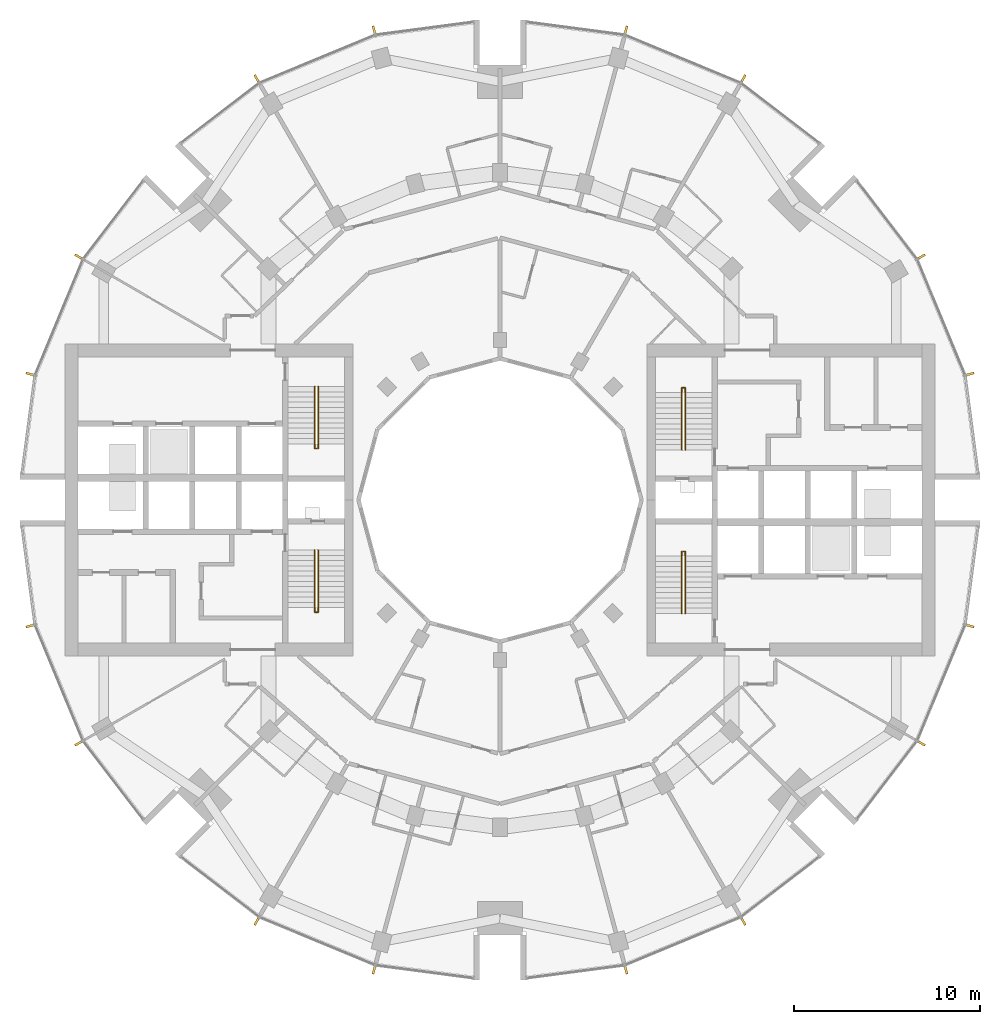
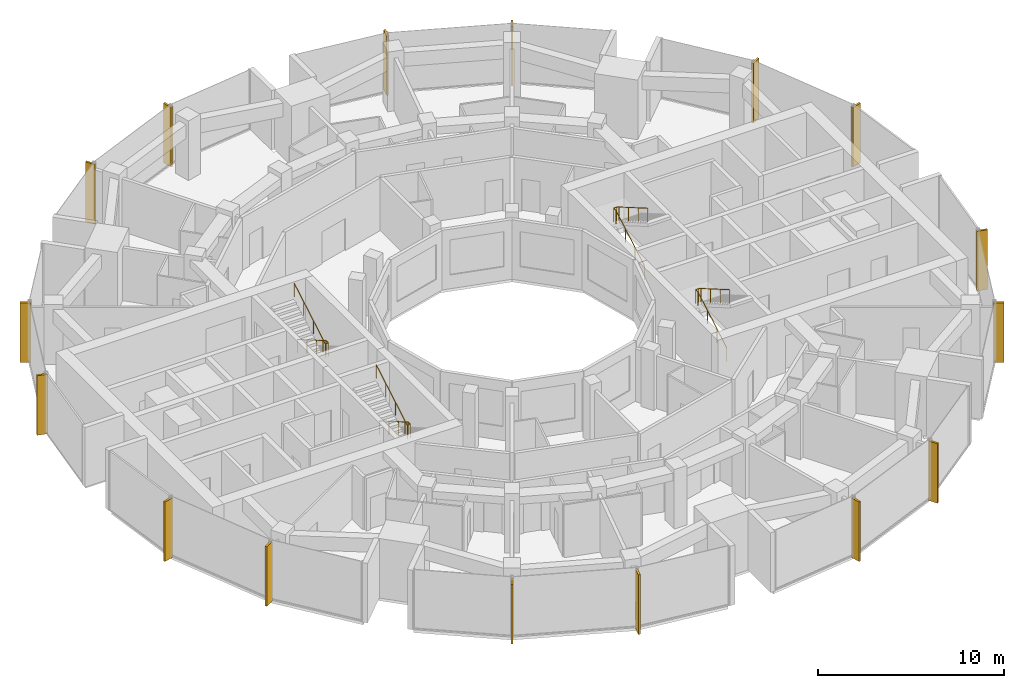
# One storey, part 14 of 15: 16 shading devices, 4 railings.
"""IFC4 building model written with IfcOpenShell, lengths in metres."""

from ifc_helpers import new_model, si_unit, direction, frame, origin, origin_2d, place, context, subcontext, project, spatial, rectangle, circle, extrude, material, material_profile, profile_set, type_object, element, save


model = new_model("IFC4")

# Units and contexts
model_context = context("Model", 3, precision=1e-05, world=origin(), true_north=direction((0.0, 1.0)))
body_context = subcontext(model_context, "Body", "Model", "MODEL_VIEW")
ifc_project = project(units=[si_unit("LENGTHUNIT", "METRE"), si_unit("AREAUNIT", "SQUARE_METRE"), si_unit("VOLUMEUNIT", "CUBIC_METRE"), si_unit("PLANEANGLEUNIT", "RADIAN"), si_unit("MASSUNIT", "GRAM", prefix="KILO")], contexts=[model_context])

# Site, building, storey
site_placement = place(None, origin())
site = spatial("IfcSite", under=ifc_project, at=site_placement, CompositionType="ELEMENT")
building_placement = place(site_placement, origin())
building = spatial("IfcBuilding", under=site, at=building_placement, Name="Torre Brocal", CompositionType="ELEMENT")
storey_placement = place(building_placement, frame((0.0, 0.0, 122.39990234375)))
storey = spatial("IfcBuildingStorey", under=building, at=storey_placement, Name="L28", CompositionType="ELEMENT", Elevation=122.39990234375)

# Shading devices
ifc_material_1 = material(Name="Aluminium, black anodised", Category="aluminium")
ifc_material_profile = material_profile(ifc_material_1, rectangle(XDim=0.1201171875, YDim=0.60009765625, at=origin_2d()), Name="FIN 120X600 3900 HIGH")
ifc_profile_set = profile_set([ifc_material_profile], Name="Aluminium, black anodised")
shading_device_type = type_object("IfcShadingDeviceType", Name="FIN 120X600 3900 HIGH", PredefinedType="USERDEFINED", material=ifc_profile_set)
for number, where, z_axis, x_axis, name in (
    (1, (105.208984375, 81.754638671875, -0.14990234375), (0.0, 0.0, 1.0), (-0.258819045103, 0.965925826289, 0.0), "FIN"),
    (2, (102.601806640625, 88.049072265625, -0.14990234375), (0.0, 0.0, 1.0), (-0.5, 0.866025403784, 0.0), "FIN"),
    (3, (93.049072265625, 97.601806640625, -0.14990234375), (0.0, 0.0, 1.0), (-0.866025403784, 0.5, 0.0), "FIN"),
    (4, (86.754638671875, 100.208984375, -0.14990234375), (0.0, 0.0, 1.0), (-0.965925826289, 0.258819045103, 0.0), "FIN"),
    (5, (73.245361328125, 100.208984375, -0.14990234375), (0.0, 0.0, 1.0), (-0.965925826289, -0.258819045103, 0.0), "FIN"),
    (6, (66.950927734375, 97.601806640625, -0.14990234375), (0.0, 0.0, 1.0), (-0.866025403784, -0.5, 0.0), "FIN"),
    (7, (57.398193359375, 88.049072265625, -0.14990234375), (0.0, 0.0, 1.0), (-0.5, -0.866025403784, 0.0), "FIN"),
    (8, (54.791015625, 81.754638671875, -0.14990234375), (0.0, 0.0, 1.0), (-0.258819045103, -0.965925826289, 0.0), "FIN"),
    (9, (54.791015625, 68.245361328125, -0.14990234375), (0.0, 0.0, 1.0), (0.258819045103, -0.965925826289, 0.0), "FIN"),
    (10, (57.398193359375, 61.950927734375, -0.14990234375), (0.0, 0.0, 1.0), (0.5, -0.866025403784, 0.0), "FIN"),
    (11, (66.950927734375, 52.398193359375, -0.14990234375), (0.0, 0.0, 1.0), (0.866025403784, -0.5, 0.0), "FIN"),
    (12, (73.245361328125, 49.791015625, -0.14990234375), (0.0, 0.0, 1.0), (0.965925826289, -0.258819045103, 0.0), "FIN"),
    (13, (86.754638671875, 49.791015625, -0.14990234375), (0.0, 0.0, 1.0), (0.965925826289, 0.258819045103, 0.0), "FIN"),
    (14, (93.049072265625, 52.398193359375, -0.14990234375), (0.0, 0.0, 1.0), (0.866025403784, 0.5, 0.0), "FIN"),
    (15, (102.601806640625, 61.950927734375, -0.14990234375), (0.0, 0.0, 1.0), (0.5, 0.866025403784, 0.0), "FIN"),
    (16, (105.208984375, 68.245361328125, -0.14990234375), (0.0, 0.0, 1.0), (0.258819045103, 0.965925826289, 0.0), "FIN"),
):
    element("IfcShadingDevice", number, at=place(storey_placement, frame(where, z_axis=z_axis, x_axis=x_axis)), inside=storey, type_object=shading_device_type, Name=name, ObjectType="FIN", PredefinedType="USERDEFINED", context=body_context, shape_type="SweptSolid", body=[
        extrude(rectangle(XDim=0.1201171875, YDim=0.60009765625, at=origin_2d()), origin(), (0.0, 0.0, 1.0), 3.89990234375),
    ])

# Railings
ifc_material_2 = material(Name="Stainless steel AISI 316", Category="steel")
railing_type = type_object("IfcRailingType", Name="STAIR HANDRAIL", PredefinedType="HANDRAIL", material=ifc_material_2)
railing_1_placement = place(storey_placement, frame((89.780029296875, 77.699951171875, 0.16259765625)))
element("IfcRailing", 17, at=railing_1_placement, inside=storey, type_object=railing_type, Name="HANDRAIL ST1", PredefinedType="HANDRAIL", context=body_context, shape_type="SweptSolid", body=[
    extrude(circle(Radius=0.02392578125, at=origin_2d()), frame((0.0, 0.0, 0.8759765625), z_axis=(0.0, 0.864890721111, 0.501960198159), x_axis=(-1.0, 0.0, 0.0)), (0.0, 0.0, 1.0), 3.561279296875),
    extrude(circle(Radius=0.02392578125, at=origin_2d()), frame((0.0, 3.080078125, 2.66357421875), z_axis=(0.0, 1.0, 0.0), x_axis=(-1.0, 0.0, 0.0)), (0.0, 0.0, 1.0), 0.25),
    extrude(circle(Radius=0.02392578125, at=origin_2d()), frame((0.0, 3.330078125, 2.66357421875), z_axis=(1.0, 0.0, 0.0), x_axis=(0.0, 1.0, 0.0)), (0.0, 0.0, 1.0), 0.18994140625),
    extrude(circle(Radius=0.02392578125, at=origin_2d()), frame((0.18994140625, 3.330078125, 2.66357421875), z_axis=(0.0, -0.838668089672, 0.544642851203), x_axis=(1.0, 0.0, 0.0)), (0.0, 0.0, 1.0), 0.298095703125),
    extrude(circle(Radius=0.02392578125, at=origin_2d()), frame((0.18994140625, 3.080078125, 2.82568359375), z_axis=(0.0, -0.864890721111, 0.501960198159), x_axis=(1.0, 0.0, 0.0)), (0.0, 0.0, 1.0), 3.561279296875),
    extrude(circle(Radius=0.02099609375, at=origin_2d()), origin(), (0.0, 0.0, 1.0), 0.851806640625),
    extrude(circle(Radius=0.02099609375, at=origin_2d()), frame((0.0, 1.026611328125, 0.595947265625)), (0.0, 0.0, 1.0), 0.851806640625),
    extrude(circle(Radius=0.02099609375, at=origin_2d()), frame((0.0, 2.053466796875, 1.191650390625)), (0.0, 0.0, 1.0), 0.851806640625),
    extrude(circle(Radius=0.02099609375, at=origin_2d()), frame((0.0, 3.080078125, 1.78759765625)), (0.0, 0.0, 1.0), 0.851806640625),
    extrude(circle(Radius=0.02099609375, at=origin_2d()), frame((0.0, 3.330078125, 1.78759765625)), (0.0, 0.0, 1.0), 0.851806640625),
    extrude(circle(Radius=0.02099609375, at=origin_2d()), frame((0.18994140625, 3.330078125, 1.78759765625)), (0.0, 0.0, 1.0), 0.851806640625),
    extrude(circle(Radius=0.02099609375, at=origin_2d()), frame((0.18994140625, 3.080078125, 1.949951171875)), (0.0, 0.0, 1.0), 0.851806640625),
    extrude(circle(Radius=0.02099609375, at=origin_2d()), frame((0.18994140625, 2.053466796875, 2.5458984375)), (0.0, 0.0, 1.0), 0.851806640625),
    extrude(circle(Radius=0.02099609375, at=origin_2d()), frame((0.18994140625, 1.026611328125, 3.1416015625)), (0.0, 0.0, 1.0), 0.851806640625),
    extrude(circle(Radius=0.02099609375, at=origin_2d()), frame((0.18994140625, 0.0, 3.737548828125)), (0.0, 0.0, 1.0), 0.851806640625),
])
railing_2_placement = place(storey_placement, frame((89.780029296875, 68.89990234375, 0.16259765625)))
element("IfcRailing", 18, at=railing_2_placement, inside=storey, type_object=railing_type, Name="HANDRAIL ST2", PredefinedType="HANDRAIL", context=body_context, shape_type="SweptSolid", body=[
    extrude(circle(Radius=0.02392578125, at=origin_2d()), frame((0.0, 0.0, 0.8759765625), z_axis=(0.0, 0.864890721111, 0.501960198159), x_axis=(-1.0, 0.0, 0.0)), (0.0, 0.0, 1.0), 3.561279296875),
    extrude(circle(Radius=0.02392578125, at=origin_2d()), frame((0.0, 3.080078125, 2.66357421875), z_axis=(0.0, 1.0, 0.0), x_axis=(-1.0, 0.0, 0.0)), (0.0, 0.0, 1.0), 0.25),
    extrude(circle(Radius=0.02392578125, at=origin_2d()), frame((0.0, 3.330078125, 2.66357421875), z_axis=(1.0, 0.0, 0.0), x_axis=(0.0, 1.0, 0.0)), (0.0, 0.0, 1.0), 0.18994140625),
    extrude(circle(Radius=0.02392578125, at=origin_2d()), frame((0.18994140625, 3.330078125, 2.66357421875), z_axis=(0.0, -0.838668089672, 0.544642851203), x_axis=(1.0, 0.0, 0.0)), (0.0, 0.0, 1.0), 0.298095703125),
    extrude(circle(Radius=0.02392578125, at=origin_2d()), frame((0.18994140625, 3.080078125, 2.82568359375), z_axis=(0.0, -0.864890721111, 0.501960198159), x_axis=(1.0, 0.0, 0.0)), (0.0, 0.0, 1.0), 3.561279296875),
    extrude(circle(Radius=0.02099609375, at=origin_2d()), origin(), (0.0, 0.0, 1.0), 0.851806640625),
    extrude(circle(Radius=0.02099609375, at=origin_2d()), frame((0.0, 1.026611328125, 0.595947265625)), (0.0, 0.0, 1.0), 0.851806640625),
    extrude(circle(Radius=0.02099609375, at=origin_2d()), frame((0.0, 2.053466796875, 1.191650390625)), (0.0, 0.0, 1.0), 0.851806640625),
    extrude(circle(Radius=0.02099609375, at=origin_2d()), frame((0.0, 3.080078125, 1.78759765625)), (0.0, 0.0, 1.0), 0.851806640625),
    extrude(circle(Radius=0.02099609375, at=origin_2d()), frame((0.0, 3.330078125, 1.78759765625)), (0.0, 0.0, 1.0), 0.851806640625),
    extrude(circle(Radius=0.02099609375, at=origin_2d()), frame((0.18994140625, 3.330078125, 1.78759765625)), (0.0, 0.0, 1.0), 0.851806640625),
    extrude(circle(Radius=0.02099609375, at=origin_2d()), frame((0.18994140625, 3.080078125, 1.949951171875)), (0.0, 0.0, 1.0), 0.851806640625),
    extrude(circle(Radius=0.02099609375, at=origin_2d()), frame((0.18994140625, 2.053466796875, 2.5458984375)), (0.0, 0.0, 1.0), 0.851806640625),
    extrude(circle(Radius=0.02099609375, at=origin_2d()), frame((0.18994140625, 1.026611328125, 3.1416015625)), (0.0, 0.0, 1.0), 0.851806640625),
    extrude(circle(Radius=0.02099609375, at=origin_2d()), frame((0.18994140625, 0.0, 3.737548828125)), (0.0, 0.0, 1.0), 0.851806640625),
])
railing_3_placement = place(storey_placement, frame((70.219970703125, 72.300048828125, 0.16259765625)))
element("IfcRailing", 19, at=railing_3_placement, inside=storey, type_object=railing_type, Name="HANDRAIL ST3", PredefinedType="HANDRAIL", context=body_context, shape_type="SweptSolid", body=[
    extrude(circle(Radius=0.02392578125, at=origin_2d()), frame((0.0, 0.0, 0.8759765625), z_axis=(0.0, -0.864890721111, 0.501960198159), x_axis=(1.0, 0.0, 0.0)), (0.0, 0.0, 1.0), 3.561279296875),
    extrude(circle(Radius=0.02392578125, at=origin_2d()), frame((0.0, -3.080078125, 2.66357421875), z_axis=(0.0, -1.0, 0.0), x_axis=(1.0, 0.0, 0.0)), (0.0, 0.0, 1.0), 0.25),
    extrude(circle(Radius=0.02392578125, at=origin_2d()), frame((0.0, -3.330078125, 2.66357421875), z_axis=(-1.0, 0.0, 0.0), x_axis=(0.0, -1.0, 0.0)), (0.0, 0.0, 1.0), 0.18994140625),
    extrude(circle(Radius=0.02392578125, at=origin_2d()), frame((-0.18994140625, -3.330078125, 2.66357421875), z_axis=(0.0, 0.838668089672, 0.544642851203), x_axis=(-1.0, 0.0, 0.0)), (0.0, 0.0, 1.0), 0.298095703125),
    extrude(circle(Radius=0.02392578125, at=origin_2d()), frame((-0.18994140625, -3.080078125, 2.82568359375), z_axis=(0.0, 0.864890721111, 0.501960198159), x_axis=(-1.0, 0.0, 0.0)), (0.0, 0.0, 1.0), 3.561279296875),
    extrude(circle(Radius=0.02099609375, at=origin_2d()), origin(), (0.0, 0.0, 1.0), 0.851806640625),
    extrude(circle(Radius=0.02099609375, at=origin_2d()), frame((0.0, -1.026611328125, 0.595947265625)), (0.0, 0.0, 1.0), 0.851806640625),
    extrude(circle(Radius=0.02099609375, at=origin_2d()), frame((0.0, -2.053466796875, 1.191650390625)), (0.0, 0.0, 1.0), 0.851806640625),
    extrude(circle(Radius=0.02099609375, at=origin_2d()), frame((0.0, -3.080078125, 1.78759765625)), (0.0, 0.0, 1.0), 0.851806640625),
    extrude(circle(Radius=0.02099609375, at=origin_2d()), frame((0.0, -3.330078125, 1.78759765625)), (0.0, 0.0, 1.0), 0.851806640625),
    extrude(circle(Radius=0.02099609375, at=origin_2d()), frame((-0.18994140625, -3.330078125, 1.78759765625)), (0.0, 0.0, 1.0), 0.851806640625),
    extrude(circle(Radius=0.02099609375, at=origin_2d()), frame((-0.18994140625, -3.080078125, 1.949951171875)), (0.0, 0.0, 1.0), 0.851806640625),
    extrude(circle(Radius=0.02099609375, at=origin_2d()), frame((-0.18994140625, -2.053466796875, 2.5458984375)), (0.0, 0.0, 1.0), 0.851806640625),
    extrude(circle(Radius=0.02099609375, at=origin_2d()), frame((-0.18994140625, -1.026611328125, 3.1416015625)), (0.0, 0.0, 1.0), 0.851806640625),
    extrude(circle(Radius=0.02099609375, at=origin_2d()), frame((-0.18994140625, 0.0, 3.737548828125)), (0.0, 0.0, 1.0), 0.851806640625),
])
railing_4_placement = place(storey_placement, frame((70.219970703125, 81.10009765625, 0.16259765625)))
element("IfcRailing", 20, at=railing_4_placement, inside=storey, type_object=railing_type, Name="HANDRAIL ST4", PredefinedType="HANDRAIL", context=body_context, shape_type="SweptSolid", body=[
    extrude(circle(Radius=0.02392578125, at=origin_2d()), frame((0.0, 0.0, 0.8759765625), z_axis=(0.0, -0.864890721111, 0.501960198159), x_axis=(1.0, 0.0, 0.0)), (0.0, 0.0, 1.0), 3.561279296875),
    extrude(circle(Radius=0.02392578125, at=origin_2d()), frame((0.0, -3.080078125, 2.66357421875), z_axis=(0.0, -1.0, 0.0), x_axis=(1.0, 0.0, 0.0)), (0.0, 0.0, 1.0), 0.25),
    extrude(circle(Radius=0.02392578125, at=origin_2d()), frame((0.0, -3.330078125, 2.66357421875), z_axis=(-1.0, 0.0, 0.0), x_axis=(0.0, -1.0, 0.0)), (0.0, 0.0, 1.0), 0.18994140625),
    extrude(circle(Radius=0.02392578125, at=origin_2d()), frame((-0.18994140625, -3.330078125, 2.66357421875), z_axis=(0.0, 0.838668089672, 0.544642851203), x_axis=(-1.0, 0.0, 0.0)), (0.0, 0.0, 1.0), 0.298095703125),
    extrude(circle(Radius=0.02392578125, at=origin_2d()), frame((-0.18994140625, -3.080078125, 2.82568359375), z_axis=(0.0, 0.864890721111, 0.501960198159), x_axis=(-1.0, 0.0, 0.0)), (0.0, 0.0, 1.0), 3.561279296875),
    extrude(circle(Radius=0.02099609375, at=origin_2d()), origin(), (0.0, 0.0, 1.0), 0.851806640625),
    extrude(circle(Radius=0.02099609375, at=origin_2d()), frame((0.0, -1.026611328125, 0.595947265625)), (0.0, 0.0, 1.0), 0.851806640625),
    extrude(circle(Radius=0.02099609375, at=origin_2d()), frame((0.0, -2.053466796875, 1.191650390625)), (0.0, 0.0, 1.0), 0.851806640625),
    extrude(circle(Radius=0.02099609375, at=origin_2d()), frame((0.0, -3.080078125, 1.78759765625)), (0.0, 0.0, 1.0), 0.851806640625),
    extrude(circle(Radius=0.02099609375, at=origin_2d()), frame((0.0, -3.330078125, 1.78759765625)), (0.0, 0.0, 1.0), 0.851806640625),
    extrude(circle(Radius=0.02099609375, at=origin_2d()), frame((-0.18994140625, -3.330078125, 1.78759765625)), (0.0, 0.0, 1.0), 0.851806640625),
    extrude(circle(Radius=0.02099609375, at=origin_2d()), frame((-0.18994140625, -3.080078125, 1.949951171875)), (0.0, 0.0, 1.0), 0.851806640625),
    extrude(circle(Radius=0.02099609375, at=origin_2d()), frame((-0.18994140625, -2.053466796875, 2.5458984375)), (0.0, 0.0, 1.0), 0.851806640625),
    extrude(circle(Radius=0.02099609375, at=origin_2d()), frame((-0.18994140625, -1.026611328125, 3.1416015625)), (0.0, 0.0, 1.0), 0.851806640625),
    extrude(circle(Radius=0.02099609375, at=origin_2d()), frame((-0.18994140625, 0.0, 3.737548828125)), (0.0, 0.0, 1.0), 0.851806640625),
])

save(model, "model.ifc")
